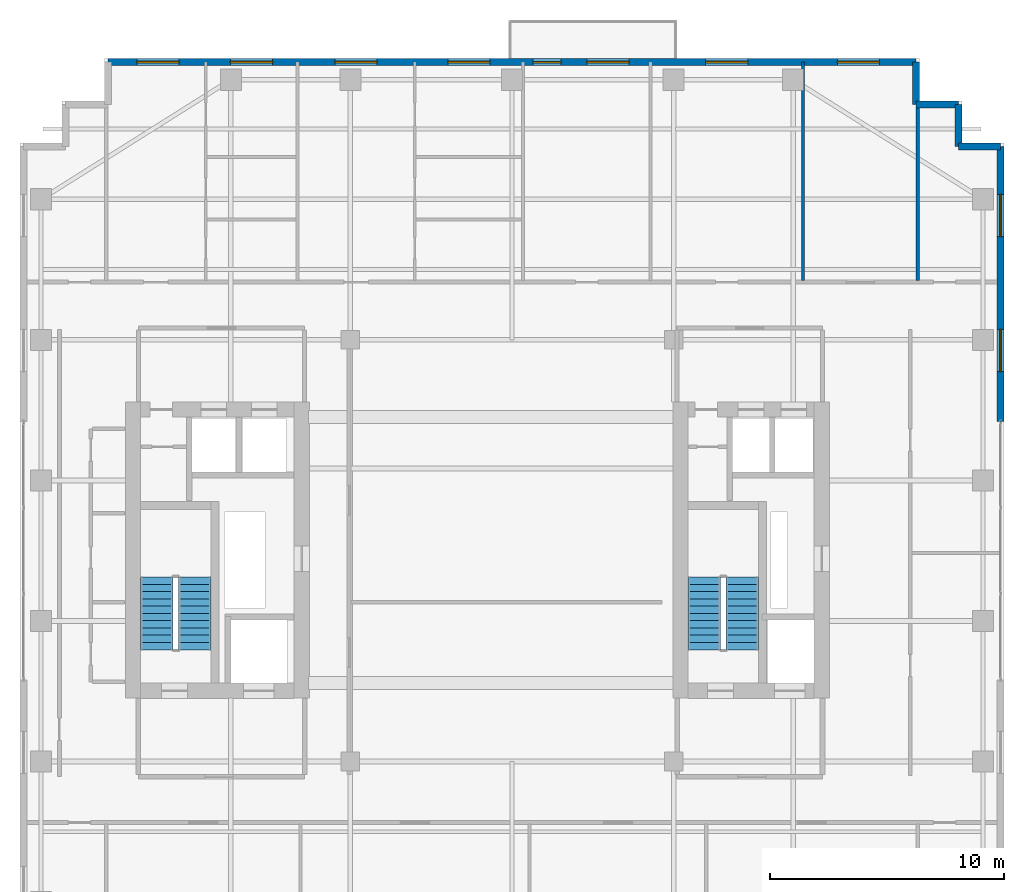
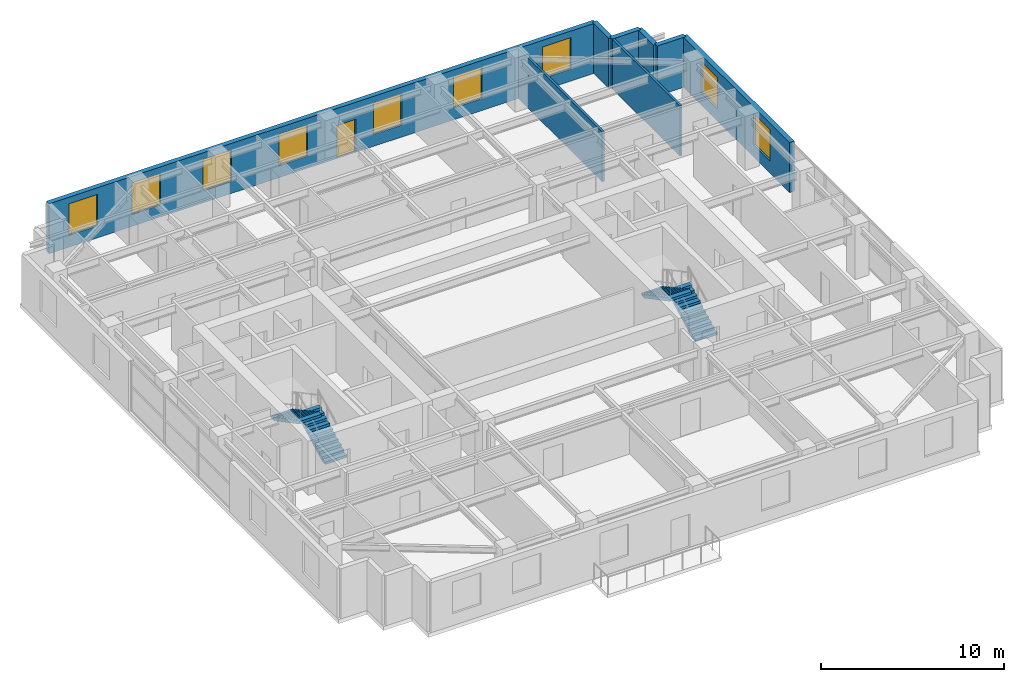
# One storey, part 12 of 14: 9 windows, 8 walls, 4 stair flights, 1 door, 10 openings, 2 elements without a shape of their own.
"""IFC4 building model written with IfcOpenShell, lengths in metres."""

from ifc_helpers import new_model, si_unit, direction, frame, frame_2d, origin, place, context, subcontext, project, spatial, polyline, rectangle, outline, extrude, source, transform, mapped, material, layer, layer_set, type_object, element, fill, aggregate, save


model = new_model("IFC4")

# Units and contexts
model_context = context("Model", 3, precision=1e-05, world=origin(), true_north=direction((0.0, 1.0)))
body_context = subcontext(model_context, "Body", "Model", "MODEL_VIEW")
ifc_project = project(units=[si_unit("LENGTHUNIT", "METRE"), si_unit("AREAUNIT", "SQUARE_METRE"), si_unit("VOLUMEUNIT", "CUBIC_METRE"), si_unit("PLANEANGLEUNIT", "RADIAN"), si_unit("MASSUNIT", "GRAM", prefix="KILO")], contexts=[model_context])

# Site, building, storey
site_placement = place(None, origin())
site = spatial("IfcSite", under=ifc_project, at=site_placement, CompositionType="ELEMENT")
building_placement = place(site_placement, origin())
building = spatial("IfcBuilding", under=site, at=building_placement, Name="Khoralis Quay Care Tower", CompositionType="ELEMENT")
storey_placement = place(building_placement, frame((0.0, 0.0, 177.300048828125)))
storey = spatial("IfcBuildingStorey", under=building, at=storey_placement, Name="L46", CompositionType="ELEMENT", Elevation=177.300048828125)

# Wall, openings, windows
ifc_material_1 = material(Name="Precast concrete C45/55", Category="concrete")
ifc_layer_1 = layer(ifc_material_1, 0.300048828125)
ifc_layer_set_1 = layer_set([ifc_layer_1], Name="Precast concrete C45/55")
wall_type_1 = type_object("IfcWallType", Name="WL-EXT-REF-300", PredefinedType="SOLIDWALL", material=ifc_layer_set_1)
wall_1_placement = place(storey_placement, frame((44.85009765625, 26.52001953125, 0.0), z_axis=(0.0, 0.0, 1.0), x_axis=(0.0, 1.0, 0.0)))
wall_1 = element("IfcWall", 1, at=wall_1_placement, inside=storey, type_object=wall_type_1, Name="L46 External Facade Wall WL-EXT-L46-P1-E5B", PredefinedType="SOLIDWALL", context=body_context, shape_type="SweptSolid", body=[
    extrude(rectangle(XDim=11.72998046875, YDim=0.300048828125, at=frame_2d((5.864990234375, 0.0))), origin(), (0.0, 0.0, 1.0), 3.33984375),
])
opening_1_placement = place(wall_1_placement, frame((2.1201171875, 0.0, 0.800048828125)))
opening_1 = element("IfcOpeningElement", 2, at=opening_1_placement, cuts=wall_1, Name="Opening W2", PredefinedType="OPENING", context=body_context, shape_type="SweptSolid", body=[
    extrude(rectangle(XDim=1.800048828125, YDim=2.10009765625, at=frame_2d((0.89990234375, 1.050048828125))), frame((0.0, 0.16015625, 0.0), z_axis=(0.0, -1.0, 0.0), x_axis=(1.0, 0.0, 0.0)), (0.0, 0.0, 1.0), 0.320068359375),
])
opening_2_placement = place(wall_1_placement, frame((7.885009765625, 0.0, 0.800048828125)))
opening_2 = element("IfcOpeningElement", 3, at=opening_2_placement, cuts=wall_1, Name="Opening W2", PredefinedType="OPENING", context=body_context, shape_type="SweptSolid", body=[
    extrude(rectangle(XDim=1.800048828125, YDim=2.10009765625, at=frame_2d((0.89990234375, 1.050048828125))), frame((0.0, 0.16015625, 0.0), z_axis=(0.0, -1.0, 0.0), x_axis=(1.0, 0.0, 0.0)), (0.0, 0.0, 1.0), 0.320068359375),
])
ifc_material_2 = material(Name="Low-E solar-control double glazing", Category="glass")
window_type = type_object("IfcWindowType", Name="WN-POD-1800X2100", PartitioningType="SINGLE_PANEL", PredefinedType="WINDOW", material=ifc_material_2)
shared_shape_1 = source(origin(), body_context, "Body", "SweptSolid", [
    extrude(rectangle(XDim=1.800048828125, YDim=2.10009765625, at=frame_2d((0.89990234375, 1.050048828125))), frame((0.0, 0.030029296875, 0.0), z_axis=(0.0, -1.0, 0.0), x_axis=(1.0, 0.0, 0.0)), (0.0, 0.0, 1.0), 0.06005859375),
])
window_1_placement = place(opening_1_placement, origin())
window_1 = element("IfcWindow", 4, at=window_1_placement, inside=storey, type_object=window_type, Name="WN-L46-P1-E5B Facade Window 01", OverallHeight=2.10009765625, OverallWidth=1.800048828125, PartitioningType="SINGLE_PANEL", PredefinedType="WINDOW", context=body_context, shape_type="MappedRepresentation", body=[
    mapped(shared_shape_1, transform((0.0, 0.0, 0.0), scale=1.0)),
])
fill(opening_1, window_1)
window_2_placement = place(opening_2_placement, origin())
window_2 = element("IfcWindow", 5, at=window_2_placement, inside=storey, type_object=window_type, Name="WN-L46-P1-E5B Facade Window 02", OverallHeight=2.10009765625, OverallWidth=1.800048828125, PartitioningType="SINGLE_PANEL", PredefinedType="WINDOW", context=body_context, shape_type="MappedRepresentation", body=[
    mapped(shared_shape_1, transform((0.0, 0.0, 0.0), scale=1.0)),
])
fill(opening_2, window_2)

# Walls
for number, where, z_axis, x_axis, name in (
    (6, (44.85009765625, 38.25, 0.0), (0.0, 0.0, 1.0), (-1.0, 0.0, 0.0), "L46 External Facade Wall WL-EXT-L46-P1-C6"),
    (7, (43.050048828125, 38.25, 0.0), (0.0, 0.0, 1.0), (0.0, 1.0, 0.0), "L46 External Facade Wall WL-EXT-L46-P1-C7"),
    (8, (43.050048828125, 40.050048828125, 0.0), (0.0, 0.0, 1.0), (-1.0, 0.0, 0.0), "L46 External Facade Wall WL-EXT-L46-P1-C8"),
    (9, (41.25, 40.050048828125, 0.0), (0.0, 0.0, 1.0), (0.0, 1.0, 0.0), "L46 External Facade Wall WL-EXT-L46-P1-C9"),
):
    element("IfcWall", number, at=place(storey_placement, frame(where, z_axis=z_axis, x_axis=x_axis)), inside=storey, type_object=wall_type_1, Name=name, PredefinedType="SOLIDWALL", context=body_context, shape_type="SweptSolid", body=[
        extrude(rectangle(XDim=1.800048828125, YDim=0.300048828125, at=frame_2d((0.89990234375, 0.0))), origin(), (0.0, 0.0, 1.0), 3.33984375),
    ])

# Wall, openings, windows, door
wall_2_placement = place(storey_placement, frame((41.25, 41.85009765625, 0.0), z_axis=(0.0, 0.0, 1.0), x_axis=(-1.0, 0.0, 0.0)))
wall_2 = element("IfcWall", 10, at=wall_2_placement, inside=storey, type_object=wall_type_1, Name="L46 External Facade Wall WL-EXT-L46-P1-E10", PredefinedType="SOLIDWALL", context=body_context, shape_type="SweptSolid", body=[
    extrude(rectangle(XDim=34.5, YDim=0.300048828125, at=frame_2d((17.25, 0.0))), origin(), (0.0, 0.0, 1.0), 3.33984375),
])
opening_3_placement = place(wall_2_placement, frame((1.56494140625, 0.0, 0.800048828125)))
opening_3 = element("IfcOpeningElement", 11, at=opening_3_placement, cuts=wall_2, Name="Opening W2", PredefinedType="OPENING", context=body_context, shape_type="SweptSolid", body=[
    extrude(rectangle(XDim=1.800048828125, YDim=2.10009765625, at=frame_2d((0.89990234375, 1.050048828125))), frame((0.0, 0.16015625, 0.0), z_axis=(0.0, -1.0, 0.0), x_axis=(1.0, 0.0, 0.0)), (0.0, 0.0, 1.0), 0.320068359375),
])
opening_4_placement = place(wall_2_placement, frame((7.18505859375, 0.0, 0.800048828125)))
opening_4 = element("IfcOpeningElement", 12, at=opening_4_placement, cuts=wall_2, Name="Opening W2", PredefinedType="OPENING", context=body_context, shape_type="SweptSolid", body=[
    extrude(rectangle(XDim=1.800048828125, YDim=2.10009765625, at=frame_2d((0.89990234375, 1.050048828125))), frame((0.0, 0.16015625, 0.0), z_axis=(0.0, -1.0, 0.0), x_axis=(1.0, 0.0, 0.0)), (0.0, 0.0, 1.0), 0.320068359375),
])
opening_5_placement = place(wall_2_placement, frame((12.25, 0.0, 0.800048828125)))
opening_5 = element("IfcOpeningElement", 13, at=opening_5_placement, cuts=wall_2, Name="Opening W2", PredefinedType="OPENING", context=body_context, shape_type="SweptSolid", body=[
    extrude(rectangle(XDim=1.800048828125, YDim=2.10009765625, at=frame_2d((0.89990234375, 1.050048828125))), frame((0.0, 0.16015625, 0.0), z_axis=(0.0, -1.0, 0.0), x_axis=(1.0, 0.0, 0.0)), (0.0, 0.0, 1.0), 0.320068359375),
])
opening_6_placement = place(wall_2_placement, frame((18.19091796875, 0.0, 0.800048828125)))
opening_6 = element("IfcOpeningElement", 14, at=opening_6_placement, cuts=wall_2, Name="Opening W2", PredefinedType="OPENING", context=body_context, shape_type="SweptSolid", body=[
    extrude(rectangle(XDim=1.800048828125, YDim=2.10009765625, at=frame_2d((0.89990234375, 1.050048828125))), frame((0.0, 0.16015625, 0.0), z_axis=(0.0, -1.0, 0.0), x_axis=(1.0, 0.0, 0.0)), (0.0, 0.0, 1.0), 0.320068359375),
])
opening_7_placement = place(wall_2_placement, frame((23.006103515625, 0.0, 0.800048828125)))
opening_7 = element("IfcOpeningElement", 15, at=opening_7_placement, cuts=wall_2, Name="Opening W2", PredefinedType="OPENING", context=body_context, shape_type="SweptSolid", body=[
    extrude(rectangle(XDim=1.800048828125, YDim=2.10009765625, at=frame_2d((0.89990234375, 1.050048828125))), frame((0.0, 0.16015625, 0.0), z_axis=(0.0, -1.0, 0.0), x_axis=(1.0, 0.0, 0.0)), (0.0, 0.0, 1.0), 0.320068359375),
])
opening_8_placement = place(wall_2_placement, frame((27.468505859375, 0.0, 0.800048828125)))
opening_8 = element("IfcOpeningElement", 16, at=opening_8_placement, cuts=wall_2, Name="Opening W2", PredefinedType="OPENING", context=body_context, shape_type="SweptSolid", body=[
    extrude(rectangle(XDim=1.800048828125, YDim=2.10009765625, at=frame_2d((0.89990234375, 1.050048828125))), frame((0.0, 0.16015625, 0.0), z_axis=(0.0, -1.0, 0.0), x_axis=(1.0, 0.0, 0.0)), (0.0, 0.0, 1.0), 0.320068359375),
])
opening_9_placement = place(wall_2_placement, frame((31.46337890625, 0.0, 0.800048828125)))
opening_9 = element("IfcOpeningElement", 17, at=opening_9_placement, cuts=wall_2, Name="Opening W2", PredefinedType="OPENING", context=body_context, shape_type="SweptSolid", body=[
    extrude(rectangle(XDim=1.800048828125, YDim=2.10009765625, at=frame_2d((0.89990234375, 1.050048828125))), frame((0.0, 0.16015625, 0.0), z_axis=(0.0, -1.0, 0.0), x_axis=(1.0, 0.0, 0.0)), (0.0, 0.0, 1.0), 0.320068359375),
])
opening_10_placement = place(wall_2_placement, frame((15.14990234375, 0.0, 0.0)))
opening_10 = element("IfcOpeningElement", 18, at=opening_10_placement, cuts=wall_2, Name="Opening BD1", PredefinedType="OPENING", context=body_context, shape_type="SweptSolid", body=[
    extrude(rectangle(XDim=1.199951171875, YDim=2.199951171875, at=frame_2d((0.60009765625, 1.10009765625))), frame((0.0, 0.16015625, 0.0), z_axis=(0.0, -1.0, 0.0), x_axis=(1.0, 0.0, 0.0)), (0.0, 0.0, 1.0), 0.320068359375),
])
window_3_placement = place(opening_3_placement, origin())
window_3 = element("IfcWindow", 19, at=window_3_placement, inside=storey, type_object=window_type, Name="WN-L46-P1-E10 Facade Window 01", OverallHeight=2.10009765625, OverallWidth=1.800048828125, PartitioningType="SINGLE_PANEL", PredefinedType="WINDOW", context=body_context, shape_type="MappedRepresentation", body=[
    mapped(shared_shape_1, transform((0.0, 0.0, 0.0), scale=1.0)),
])
fill(opening_3, window_3)
window_4_placement = place(opening_4_placement, origin())
window_4 = element("IfcWindow", 20, at=window_4_placement, inside=storey, type_object=window_type, Name="WN-L46-P1-E10 Facade Window 02", OverallHeight=2.10009765625, OverallWidth=1.800048828125, PartitioningType="SINGLE_PANEL", PredefinedType="WINDOW", context=body_context, shape_type="MappedRepresentation", body=[
    mapped(shared_shape_1, transform((0.0, 0.0, 0.0), scale=1.0)),
])
fill(opening_4, window_4)
window_5_placement = place(opening_5_placement, origin())
window_5 = element("IfcWindow", 21, at=window_5_placement, inside=storey, type_object=window_type, Name="WN-L46-P1-E10 Facade Window 03", OverallHeight=2.10009765625, OverallWidth=1.800048828125, PartitioningType="SINGLE_PANEL", PredefinedType="WINDOW", context=body_context, shape_type="MappedRepresentation", body=[
    mapped(shared_shape_1, transform((0.0, 0.0, 0.0), scale=1.0)),
])
fill(opening_5, window_5)
window_6_placement = place(opening_6_placement, origin())
window_6 = element("IfcWindow", 22, at=window_6_placement, inside=storey, type_object=window_type, Name="WN-L46-P1-E10 Facade Window 04", OverallHeight=2.10009765625, OverallWidth=1.800048828125, PartitioningType="SINGLE_PANEL", PredefinedType="WINDOW", context=body_context, shape_type="MappedRepresentation", body=[
    mapped(shared_shape_1, transform((0.0, 0.0, 0.0), scale=1.0)),
])
fill(opening_6, window_6)
window_7_placement = place(opening_7_placement, origin())
window_7 = element("IfcWindow", 23, at=window_7_placement, inside=storey, type_object=window_type, Name="WN-L46-P1-E10 Facade Window 05", OverallHeight=2.10009765625, OverallWidth=1.800048828125, PartitioningType="SINGLE_PANEL", PredefinedType="WINDOW", context=body_context, shape_type="MappedRepresentation", body=[
    mapped(shared_shape_1, transform((0.0, 0.0, 0.0), scale=1.0)),
])
fill(opening_7, window_7)
window_8_placement = place(opening_8_placement, origin())
window_8 = element("IfcWindow", 24, at=window_8_placement, inside=storey, type_object=window_type, Name="WN-L46-P1-E10 Facade Window 06", OverallHeight=2.10009765625, OverallWidth=1.800048828125, PartitioningType="SINGLE_PANEL", PredefinedType="WINDOW", context=body_context, shape_type="MappedRepresentation", body=[
    mapped(shared_shape_1, transform((0.0, 0.0, 0.0), scale=1.0)),
])
fill(opening_8, window_8)
window_9_placement = place(opening_9_placement, origin())
window_9 = element("IfcWindow", 25, at=window_9_placement, inside=storey, type_object=window_type, Name="WN-L46-P1-E10 Facade Window 07", OverallHeight=2.10009765625, OverallWidth=1.800048828125, PartitioningType="SINGLE_PANEL", PredefinedType="WINDOW", context=body_context, shape_type="MappedRepresentation", body=[
    mapped(shared_shape_1, transform((0.0, 0.0, 0.0), scale=1.0)),
])
fill(opening_9, window_9)
ifc_material_3 = material(Name="Anodised aluminium and laminated safety glass", Category="aluminium")
door_type = type_object("IfcDoorType", Name="DR-EXT-BALC-1200X2200", OperationType="NOTDEFINED", PredefinedType="DOOR", material=ifc_material_3)
shared_shape_2 = source(origin(), body_context, "Body", "SweptSolid", [
    extrude(rectangle(XDim=1.199951171875, YDim=2.199951171875, at=frame_2d((0.60009765625, 1.10009765625))), frame((0.0, 0.02490234375, 0.0), z_axis=(0.0, -1.0, 0.0), x_axis=(1.0, 0.0, 0.0)), (0.0, 0.0, 1.0), 0.050048828125),
])
door_placement = place(opening_10_placement, frame((1.199951171875, 0.0, 0.0), z_axis=(0.0, 0.0, 1.0), x_axis=(-1.0, 0.0, 0.0)))
door = element("IfcDoor", 26, at=door_placement, inside=storey, type_object=door_type, Name="L46 Senior Loggia Balcony Door", OperationType="SINGLE_SWING_LEFT", OverallHeight=2.199951171875, OverallWidth=1.199951171875, PredefinedType="DOOR", context=body_context, shape_type="MappedRepresentation", body=[
    mapped(shared_shape_2, transform((0.0, 0.0, 0.0), scale=1.0)),
])
fill(opening_10, door)

# Walls
ifc_material_4 = material(Name="Gypsum plasterboard on acoustic metal stud")
ifc_layer_2 = layer(ifc_material_4, 0.139892578125)
ifc_layer_set_2 = layer_set([ifc_layer_2], Name="Gypsum plasterboard on acoustic metal stud")
wall_type_2 = type_object("IfcWallType", Name="WL-UNIT-140", PredefinedType="PARTITIONING", material=ifc_layer_set_2)
wall_3_placement = place(storey_placement, frame((36.419921875, 32.53759765625, 0.0), z_axis=(0.0, 0.0, 1.0), x_axis=(0.0, 1.0, 0.0)))
element("IfcWall", 27, at=wall_3_placement, inside=storey, type_object=wall_type_2, Name="L46 NB Demising Wall 4", PredefinedType="PARTITIONING", context=body_context, shape_type="SweptSolid", body=[
    extrude(rectangle(XDim=9.3173828125, YDim=0.139892578125, at=frame_2d((4.65869140625, 0.0))), origin(), (0.0, 0.0, 1.0), 3.33984375),
])
wall_4_placement = place(storey_placement, frame((41.320068359375, 32.53759765625, 0.0), z_axis=(0.0, 0.0, 1.0), x_axis=(0.0, 1.0, 0.0)))
element("IfcWall", 28, at=wall_4_placement, inside=storey, type_object=wall_type_2, Name="L46 NB Demising Wall 5", PredefinedType="PARTITIONING", context=body_context, shape_type="SweptSolid", body=[
    extrude(rectangle(XDim=7.517333984375, YDim=0.139892578125, at=frame_2d((3.7587890625, 0.0))), origin(), (0.0, 0.0, 1.0), 3.33984375),
])

# Stair, stair flights
stair_type = type_object("IfcStairType", Name="ST-TWR-DOGLEG-1400", PredefinedType="HALF_TURN_STAIR", material=ifc_material_1)
stair_1_placement = place(storey_placement, origin())
stair_1 = element("IfcStair", 29, at=stair_1_placement, inside=storey, type_object=stair_type, Name="L46 West Core Exit Stair ST-T1", PredefinedType="HALF_TURN_STAIR")
stair_flight_type = type_object("IfcStairFlightType", Name="SF-TWR-1400", PredefinedType="STRAIGHT", material=ifc_material_1)
shared_shape_3 = source(origin(), body_context, "Body", "SweptSolid", [
    extrude(outline(polyline([(0.0, 0.0), (0.0, 0.16357421875), (0.31005859375, 0.16357421875), (0.31005859375, 0.327392578125), (0.6201171875, 0.327392578125), (0.6201171875, 0.490966796875), (0.929931640625, 0.490966796875), (0.929931640625, 0.654541015625), (1.239990234375, 0.654541015625), (1.239990234375, 0.818115234375), (1.550048828125, 0.818115234375), (1.550048828125, 0.98193359375), (1.860107421875, 0.98193359375), (1.860107421875, 1.1455078125), (2.169921875, 1.1455078125), (2.169921875, 1.30908203125), (2.47998046875, 1.30908203125), (2.47998046875, 1.47265625), (2.7900390625, 1.47265625), (2.7900390625, 1.636474609375), (3.10009765625, 1.636474609375), (3.10009765625, 1.800048828125), (3.10009765625, 1.466796875), (0.321044921875, 0.0), (0.0, 0.0)])), frame((0.0, 0.68994140625, 0.0), z_axis=(0.0, -1.0, 0.0), x_axis=(1.0, 0.0, 0.0)), (0.0, 0.0, 1.0), 1.3798828125),
])
stair_flight_1_placement = place(storey_placement, frame((10.4599609375, 16.77001953125, 0.0), z_axis=(0.0, 0.0, 1.0), x_axis=(0.0, 1.0, 0.0)))
stair_flight_1 = element("IfcStairFlight", 30, at=stair_flight_1_placement, type_object=stair_flight_type, Name="ST-T1 flight 1", NumberOfRisers=11, NumberOfTreads=10, PredefinedType="STRAIGHT", RiserHeight=0.163636364, TreadLength=0.31, context=body_context, shape_type="MappedRepresentation", body=[
    mapped(shared_shape_3, transform((0.0, 0.0, 0.0), scale=1.0)),
])
stair_flight_2_placement = place(storey_placement, frame((8.840087890625, 19.8701171875, 1.800048828125), z_axis=(0.0, 0.0, 1.0), x_axis=(0.0, -1.0, 0.0)))
stair_flight_2 = element("IfcStairFlight", 31, at=stair_flight_2_placement, type_object=stair_flight_type, Name="ST-T1 flight 2", NumberOfRisers=11, NumberOfTreads=10, PredefinedType="STRAIGHT", RiserHeight=0.163636364, TreadLength=0.31, context=body_context, shape_type="MappedRepresentation", body=[
    mapped(shared_shape_3, transform((0.0, 0.0, 0.0), scale=1.0)),
])
aggregate(stair_1, [stair_flight_1, stair_flight_2])

stair_2_placement = place(storey_placement, origin())
stair_2 = element("IfcStair", 32, at=stair_2_placement, inside=storey, type_object=stair_type, Name="L46 East Core Exit Stair ST-T2", PredefinedType="HALF_TURN_STAIR")
stair_flight_3_placement = place(storey_placement, frame((33.830078125, 16.77001953125, 0.0), z_axis=(0.0, 0.0, 1.0), x_axis=(0.0, 1.0, 0.0)))
stair_flight_3 = element("IfcStairFlight", 33, at=stair_flight_3_placement, type_object=stair_flight_type, Name="ST-T2 flight 1", NumberOfRisers=11, NumberOfTreads=10, PredefinedType="STRAIGHT", RiserHeight=0.163636364, TreadLength=0.31, context=body_context, shape_type="MappedRepresentation", body=[
    mapped(shared_shape_3, transform((0.0, 0.0, 0.0), scale=1.0)),
])
stair_flight_4_placement = place(storey_placement, frame((32.2099609375, 19.8701171875, 1.800048828125), z_axis=(0.0, 0.0, 1.0), x_axis=(0.0, -1.0, 0.0)))
stair_flight_4 = element("IfcStairFlight", 34, at=stair_flight_4_placement, type_object=stair_flight_type, Name="ST-T2 flight 2", NumberOfRisers=11, NumberOfTreads=10, PredefinedType="STRAIGHT", RiserHeight=0.163636364, TreadLength=0.31, context=body_context, shape_type="MappedRepresentation", body=[
    mapped(shared_shape_3, transform((0.0, 0.0, 0.0), scale=1.0)),
])
aggregate(stair_2, [stair_flight_3, stair_flight_4])

save(model, "model.ifc")
